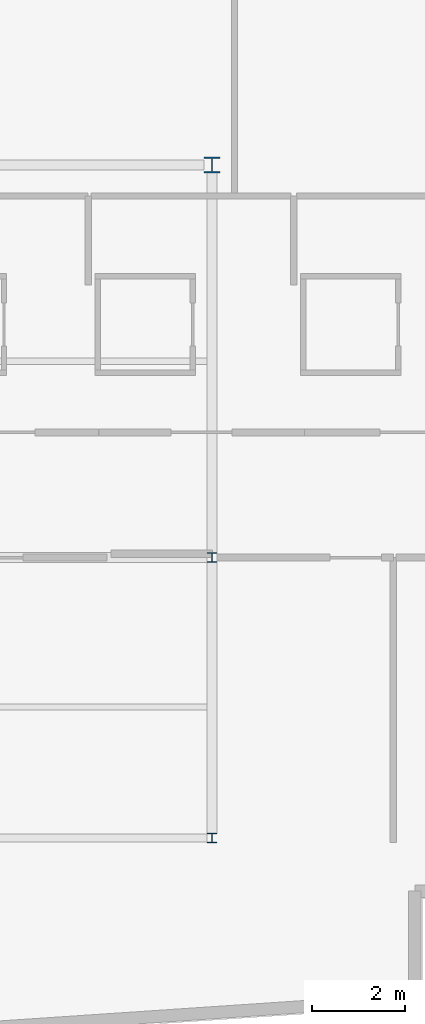
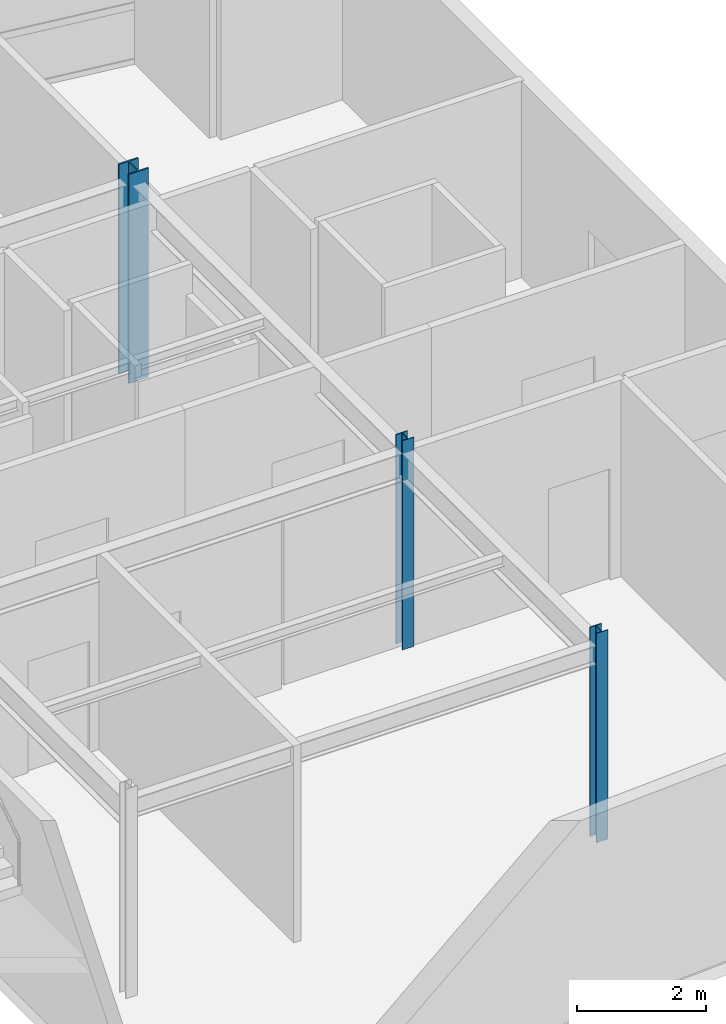
# One storey, part 3 of 16: 3 columns.
"""IFC4 building model written with IfcOpenShell, lengths in metres."""

from ifc_helpers import new_model, si_unit, direction, frame, origin, origin_2d, place, context, subcontext, project, spatial, i_section, extrude, material, material_profile, profile_set, type_object, element, save


model = new_model("IFC4")

# Units and contexts
model_context = context("Model", 3, precision=1e-05, world=origin(), true_north=direction((0.0, 1.0)))
body_context = subcontext(model_context, "Body", "Model", "MODEL_VIEW")
ifc_project = project(units=[si_unit("LENGTHUNIT", "METRE"), si_unit("AREAUNIT", "SQUARE_METRE"), si_unit("VOLUMEUNIT", "CUBIC_METRE"), si_unit("PLANEANGLEUNIT", "RADIAN"), si_unit("MASSUNIT", "GRAM", prefix="KILO")], contexts=[model_context])

# Site, building, storey
site_placement = place(None, origin())
site = spatial("IfcSite", under=ifc_project, at=site_placement, CompositionType="ELEMENT")
building_placement = place(site_placement, origin())
building = spatial("IfcBuilding", under=site, at=building_placement, Name="Varnakote Quay Hospital", CompositionType="ELEMENT")
storey_placement = place(building_placement, frame((0.0, 0.0, 296.050048828125)))
storey = spatial("IfcBuildingStorey", under=building, at=storey_placement, Name="L73", CompositionType="ELEMENT", Elevation=296.050048828125)

# Columns
ifc_material_1 = material(Name="Structural steel AS/NZS 3679.1 Grade 350 L0 (fy 340 MPa)", Category="steel")
ifc_material_profile_1 = material_profile(ifc_material_1, i_section(OverallWidth=0.205078125, OverallDepth=0.2099609375, WebThickness=0.00927734375, FlangeThickness=0.01416015625, FilletRadius=0.011474609375, at=origin_2d()), Name="200UC59.5")
ifc_profile_set_1 = profile_set([ifc_material_profile_1], Name="Structural steel AS/NZS 3679.1 Grade 350 L0 (fy 340 MPa)")
column_type_1 = type_object("IfcColumnType", Name="COL-STL-200UC59-5", PredefinedType="COLUMN", material=ifc_profile_set_1)
for number, where, z_axis, x_axis, name in (
    (1, (33.60009765625, 6.0, 0.0), (0.0, 0.0, 1.0), (1.0, 0.0, 0.0), "L73 Structural Column C-34-6"),
    (2, (33.60009765625, 12.0, 0.0), (0.0, 0.0, 1.0), (1.0, 0.0, 0.0), "L73 Structural Column C-34-12"),
):
    element("IfcColumn", number, at=place(storey_placement, frame(where, z_axis=z_axis, x_axis=x_axis)), inside=storey, type_object=column_type_1, Name=name, PredefinedType="COLUMN", context=body_context, shape_type="SweptSolid", body=[
        extrude(i_section(OverallWidth=0.205078125, OverallDepth=0.2099609375, WebThickness=0.00927734375, FlangeThickness=0.01416015625, FilletRadius=0.011474609375, at=origin_2d()), origin(), (0.0, 0.0, 1.0), 3.949951171875),
    ])
ifc_material_2 = material(Name="Structural steel AS/NZS 3678 Grade 350 (fy 340 MPa)", Category="steel")
ifc_material_profile_2 = material_profile(ifc_material_2, i_section(OverallWidth=0.35009765625, OverallDepth=0.340087890625, WebThickness=0.01611328125, FlangeThickness=0.028076171875, at=origin_2d()), Name="350WC197")
ifc_profile_set_2 = profile_set([ifc_material_profile_2], Name="Structural steel AS/NZS 3678 Grade 350 (fy 340 MPa)")
column_type_2 = type_object("IfcColumnType", Name="COL-STL-350WC197", PredefinedType="COLUMN", material=ifc_profile_set_2)
column_placement = place(storey_placement, frame((33.60009765625, 20.39990234375, 0.0), z_axis=(0.0, 0.0, 1.0), x_axis=(1.0, 0.0, 0.0)))
element("IfcColumn", 3, at=column_placement, inside=storey, type_object=column_type_2, Name="L73 Structural Column C-34-20", PredefinedType="COLUMN", context=body_context, shape_type="SweptSolid", body=[
    extrude(i_section(OverallWidth=0.35009765625, OverallDepth=0.340087890625, WebThickness=0.01611328125, FlangeThickness=0.028076171875, at=origin_2d()), origin(), (0.0, 0.0, 1.0), 3.949951171875),
])

save(model, "model.ifc")
